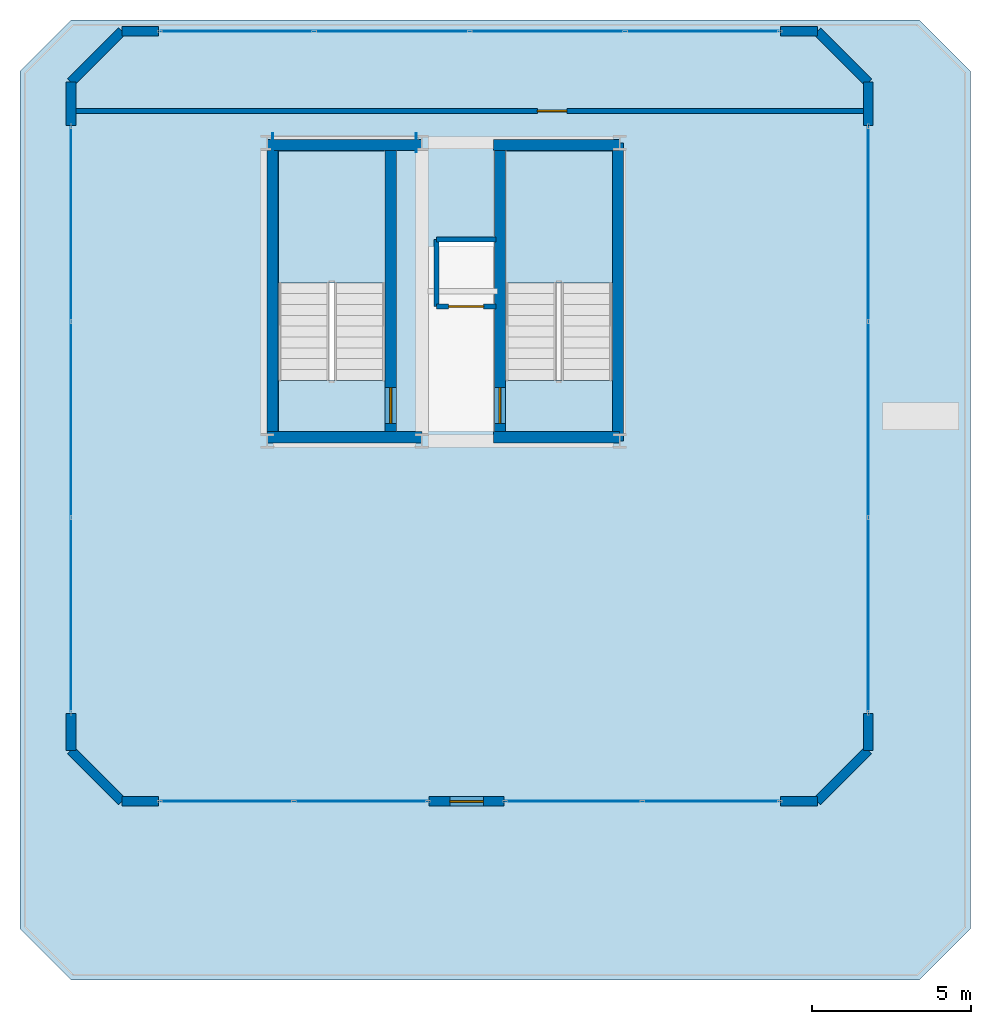
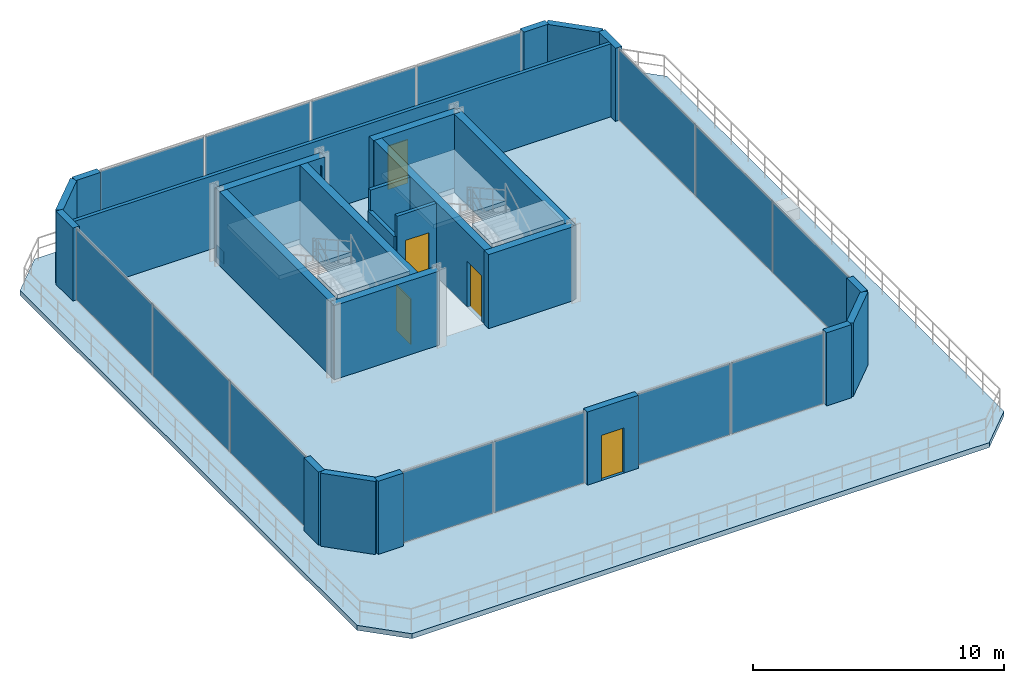
# One storey, part 13 of 16: 25 walls, 16 plates, 5 doors, 5 slabs, 5 openings, 7 elements without a shape of their own.
"""IFC4 building model written with IfcOpenShell, lengths in metres."""

from ifc_helpers import new_model, si_unit, direction, frame, frame_2d, origin, origin_2d, place, context, subcontext, project, spatial, polyline, rectangle, outline, extrude, material, layer, layer_set, type_object, element, fill, aggregate, save


model = new_model("IFC4")

# Units and contexts
model_context = context("Model", 3, precision=1e-05, world=origin(), true_north=direction((0.0, 1.0)))
body_context = subcontext(model_context, "Body", "Model", "MODEL_VIEW")
ifc_project = project(units=[si_unit("LENGTHUNIT", "METRE"), si_unit("AREAUNIT", "SQUARE_METRE"), si_unit("VOLUMEUNIT", "CUBIC_METRE"), si_unit("PLANEANGLEUNIT", "RADIAN"), si_unit("MASSUNIT", "GRAM", prefix="KILO")], contexts=[model_context])

# Site, building, storey
site_placement = place(None, origin())
site = spatial("IfcSite", under=ifc_project, at=site_placement, CompositionType="ELEMENT")
building_placement = place(site_placement, origin())
building = spatial("IfcBuilding", under=site, at=building_placement, Name="Zuhayl Quay Hotel", CompositionType="ELEMENT")
storey_placement = place(building_placement, frame((0.0, 0.0, 308.64990234375)))
storey = spatial("IfcBuildingStorey", under=building, at=storey_placement, Name="Crown 4", CompositionType="ELEMENT", Elevation=308.64990234375)

# Curtain wall, plates
ifc_material_1 = material(Name="Anodised Aluminium 6063-T6", Category="aluminium")
ifc_layer_1 = layer(ifc_material_1, 0.159912109375, Name="Anodised Aluminium 6063-T6", Category="aluminium")
ifc_layer_set_1 = layer_set([ifc_layer_1], Name="Anodised Aluminium 6063-T6")
curtain_wall_type = type_object("IfcCurtainWallType", Name="CW_SYS_CRN", PredefinedType="USERDEFINED", material=ifc_layer_set_1)
curtain_wall_1_placement = place(storey_placement, origin())
curtain_wall_1 = element("IfcCurtainWall", 1, at=curtain_wall_1_placement, inside=storey, type_object=curtain_wall_type, Name="Crown 4 Curtain Wall ENV_CR4_E1_CW1", ObjectType="UNITISED CURTAIN WALL", PredefinedType="USERDEFINED")
ifc_material_2 = material(Name="Spandrel Fritted Solar Glass", Category="glass")
ifc_layer_2 = layer(ifc_material_2, 0.028076171875, Name="Spandrel Fritted Solar Glass", Category="glass")
ifc_layer_set_2 = layer_set([ifc_layer_2], Name="Spandrel Fritted Solar Glass")
plate_type_1 = type_object("IfcPlateType", Name="PN_CROWN_SCREEN", PredefinedType="CURTAIN_PANEL", material=ifc_layer_set_2)
plate_1_placement = place(storey_placement, frame((-15.60009765625, 19.639892578125, 0.05517578125), z_axis=(0.0, 0.0, 1.0), x_axis=(0.0, 1.0, 0.0)))
plate_1 = element("IfcPlate", 2, at=plate_1_placement, type_object=plate_type_1, Name="CW-CRN panel 1.1", PredefinedType="CURTAIN_PANEL", context=body_context, shape_type="SweptSolid", body=[
    extrude(rectangle(XDim=6.06005859375, YDim=0.028076171875, at=origin_2d()), origin(), (0.0, 0.0, 1.0), 3.449951171875),
])
plate_2_placement = place(storey_placement, frame((-15.60009765625, 25.77490234375, 0.05517578125), z_axis=(0.0, 0.0, 1.0), x_axis=(0.0, 1.0, 0.0)))
plate_2 = element("IfcPlate", 3, at=plate_2_placement, type_object=plate_type_1, Name="CW-CRN panel 2.1", PredefinedType="CURTAIN_PANEL", context=body_context, shape_type="SweptSolid", body=[
    extrude(rectangle(XDim=6.090087890625, YDim=0.028076171875, at=origin_2d()), origin(), (0.0, 0.0, 1.0), 3.449951171875),
])
plate_3_placement = place(storey_placement, frame((-15.60009765625, 31.909912109375, 0.05517578125), z_axis=(0.0, 0.0, 1.0), x_axis=(0.0, 1.0, 0.0)))
plate_3 = element("IfcPlate", 4, at=plate_3_placement, type_object=plate_type_1, Name="CW-CRN panel 3.1", PredefinedType="CURTAIN_PANEL", context=body_context, shape_type="SweptSolid", body=[
    extrude(rectangle(XDim=6.06005859375, YDim=0.028076171875, at=origin_2d()), origin(), (0.0, 0.0, 1.0), 3.449951171875),
])
aggregate(curtain_wall_1, [plate_1, plate_2, plate_3])

curtain_wall_2_placement = place(storey_placement, origin())
curtain_wall_2 = element("IfcCurtainWall", 5, at=curtain_wall_2_placement, inside=storey, type_object=curtain_wall_type, Name="Crown 4 Curtain Wall ENV_CR4_E3_CW1", ObjectType="UNITISED CURTAIN WALL", PredefinedType="USERDEFINED")
plate_4_placement = place(storey_placement, frame((-10.3974609375, 37.949951171875, 0.05517578125), z_axis=(0.0, 0.0, 1.0), x_axis=(1.0, 0.0, 0.0)))
plate_4 = element("IfcPlate", 6, at=plate_4_placement, type_object=plate_type_1, Name="CW-CRN panel 1.1", PredefinedType="CURTAIN_PANEL", context=body_context, shape_type="SweptSolid", body=[
    extrude(rectangle(XDim=4.784912109375, YDim=0.028076171875, at=origin_2d()), origin(), (0.0, 0.0, 1.0), 3.449951171875),
])
plate_5_placement = place(storey_placement, frame((-5.53759765625, 37.949951171875, 0.05517578125), z_axis=(0.0, 0.0, 1.0), x_axis=(1.0, 0.0, 0.0)))
plate_5 = element("IfcPlate", 7, at=plate_5_placement, type_object=plate_type_1, Name="CW-CRN panel 2.1", PredefinedType="CURTAIN_PANEL", context=body_context, shape_type="SweptSolid", body=[
    extrude(rectangle(XDim=4.81494140625, YDim=0.028076171875, at=origin_2d()), origin(), (0.0, 0.0, 1.0), 3.449951171875),
])
plate_6_placement = place(storey_placement, frame((-0.66259765625, 37.949951171875, 0.05517578125), z_axis=(0.0, 0.0, 1.0), x_axis=(1.0, 0.0, 0.0)))
plate_6 = element("IfcPlate", 8, at=plate_6_placement, type_object=plate_type_1, Name="CW-CRN panel 3.1", PredefinedType="CURTAIN_PANEL", context=body_context, shape_type="SweptSolid", body=[
    extrude(rectangle(XDim=4.81494140625, YDim=0.028076171875, at=origin_2d()), origin(), (0.0, 0.0, 1.0), 3.449951171875),
])
plate_7_placement = place(storey_placement, frame((4.197509765625, 37.949951171875, 0.05517578125), z_axis=(0.0, 0.0, 1.0), x_axis=(1.0, 0.0, 0.0)))
plate_7 = element("IfcPlate", 9, at=plate_7_placement, type_object=plate_type_1, Name="CW-CRN panel 4.1", PredefinedType="CURTAIN_PANEL", context=body_context, shape_type="SweptSolid", body=[
    extrude(rectangle(XDim=4.784912109375, YDim=0.028076171875, at=origin_2d()), origin(), (0.0, 0.0, 1.0), 3.449951171875),
])
aggregate(curtain_wall_2, [plate_4, plate_5, plate_6, plate_7])

curtain_wall_3_placement = place(storey_placement, origin())
curtain_wall_3 = element("IfcCurtainWall", 10, at=curtain_wall_3_placement, inside=storey, type_object=curtain_wall_type, Name="Crown 4 Curtain Wall ENV_CR4_E5_CW1", ObjectType="UNITISED CURTAIN WALL", PredefinedType="USERDEFINED")
plate_8_placement = place(storey_placement, frame((9.39990234375, 31.909912109375, 0.05517578125), z_axis=(0.0, 0.0, 1.0), x_axis=(0.0, -1.0, 0.0)))
plate_8 = element("IfcPlate", 11, at=plate_8_placement, type_object=plate_type_1, Name="CW-CRN panel 1.1", PredefinedType="CURTAIN_PANEL", context=body_context, shape_type="SweptSolid", body=[
    extrude(rectangle(XDim=6.06005859375, YDim=0.028076171875, at=origin_2d()), origin(), (0.0, 0.0, 1.0), 3.449951171875),
])
plate_9_placement = place(storey_placement, frame((9.39990234375, 25.77490234375, 0.05517578125), z_axis=(0.0, 0.0, 1.0), x_axis=(0.0, -1.0, 0.0)))
plate_9 = element("IfcPlate", 12, at=plate_9_placement, type_object=plate_type_1, Name="CW-CRN panel 2.1", PredefinedType="CURTAIN_PANEL", context=body_context, shape_type="SweptSolid", body=[
    extrude(rectangle(XDim=6.090087890625, YDim=0.028076171875, at=origin_2d()), origin(), (0.0, 0.0, 1.0), 3.449951171875),
])
plate_10_placement = place(storey_placement, frame((9.39990234375, 19.639892578125, 0.05517578125), z_axis=(0.0, 0.0, 1.0), x_axis=(0.0, -1.0, 0.0)))
plate_10 = element("IfcPlate", 13, at=plate_10_placement, type_object=plate_type_1, Name="CW-CRN panel 3.1", PredefinedType="CURTAIN_PANEL", context=body_context, shape_type="SweptSolid", body=[
    extrude(rectangle(XDim=6.06005859375, YDim=0.028076171875, at=origin_2d()), origin(), (0.0, 0.0, 1.0), 3.449951171875),
])
aggregate(curtain_wall_3, [plate_8, plate_9, plate_10])

curtain_wall_4_placement = place(storey_placement, origin())
curtain_wall_4 = element("IfcCurtainWall", 14, at=curtain_wall_4_placement, inside=storey, type_object=curtain_wall_type, Name="Crown 4 Curtain Wall ENV_CR4_E7_CW1", ObjectType="UNITISED CURTAIN WALL", PredefinedType="USERDEFINED")
plate_11_placement = place(storey_placement, frame((4.46630859375, 13.800048828125, 0.05517578125), z_axis=(0.0, 0.0, 1.0), x_axis=(-1.0, 0.0, 0.0)))
plate_11 = element("IfcPlate", 15, at=plate_11_placement, type_object=plate_type_1, Name="CW-CRN panel 1.1", PredefinedType="CURTAIN_PANEL", context=body_context, shape_type="SweptSolid", body=[
    extrude(rectangle(XDim=4.24755859375, YDim=0.028076171875, at=origin_2d()), origin(), (0.0, 0.0, 1.0), 3.449951171875),
])
plate_12_placement = place(storey_placement, frame((0.15869140625, 13.800048828125, 0.05517578125), z_axis=(0.0, 0.0, 1.0), x_axis=(-1.0, 0.0, 0.0)))
plate_12 = element("IfcPlate", 16, at=plate_12_placement, type_object=plate_type_1, Name="CW-CRN panel 2.1", PredefinedType="CURTAIN_PANEL", context=body_context, shape_type="SweptSolid", body=[
    extrude(rectangle(XDim=4.24755859375, YDim=0.028076171875, at=origin_2d()), origin(), (0.0, 0.0, 1.0), 3.449951171875),
])
aggregate(curtain_wall_4, [plate_11, plate_12])

curtain_wall_5_placement = place(storey_placement, origin())
curtain_wall_5 = element("IfcCurtainWall", 17, at=curtain_wall_5_placement, inside=storey, type_object=curtain_wall_type, Name="Crown 4 Curtain Wall ENV_CR4_E7_CW2", ObjectType="UNITISED CURTAIN WALL", PredefinedType="USERDEFINED")
plate_13_placement = place(storey_placement, frame((-6.5087890625, 13.800048828125, 0.05517578125), z_axis=(0.0, 0.0, 1.0), x_axis=(-1.0, 0.0, 0.0)))
plate_13 = element("IfcPlate", 18, at=plate_13_placement, type_object=plate_type_1, Name="CW-CRN panel 1.1", PredefinedType="CURTAIN_PANEL", context=body_context, shape_type="SweptSolid", body=[
    extrude(rectangle(XDim=4.1474609375, YDim=0.028076171875, at=origin_2d()), origin(), (0.0, 0.0, 1.0), 3.449951171875),
])
plate_14_placement = place(storey_placement, frame((-10.71630859375, 13.800048828125, 0.05517578125), z_axis=(0.0, 0.0, 1.0), x_axis=(-1.0, 0.0, 0.0)))
plate_14 = element("IfcPlate", 19, at=plate_14_placement, type_object=plate_type_1, Name="CW-CRN panel 2.1", PredefinedType="CURTAIN_PANEL", context=body_context, shape_type="SweptSolid", body=[
    extrude(rectangle(XDim=4.1474609375, YDim=0.028076171875, at=origin_2d()), origin(), (0.0, 0.0, 1.0), 3.449951171875),
])
aggregate(curtain_wall_5, [plate_13, plate_14])

# Slab
ifc_material_3 = material(Name="Concrete C45/55", Category="concrete")
ifc_layer_3 = layer(ifc_material_3, 0.239990234375, Name="Concrete C45/55", Category="concrete")
ifc_layer_set_3 = layer_set([ifc_layer_3], Name="Concrete C45/55")
slab_type_1 = type_object("IfcSlabType", Name="SL_CROWN_ROOF_240", PredefinedType="ROOF", material=ifc_layer_set_3)
slab_1_placement = place(storey_placement, frame((0.0, 0.0, -0.239990234375)))
element("IfcSlab", 20, at=slab_1_placement, inside=storey, type_object=slab_type_1, Name="Crown 4 Stepped Crown Terrace and Roof Slab", PredefinedType="ROOF", context=body_context, shape_type="SweptSolid", body=[
    extrude(outline(polyline([(-15.60009765625, 8.199951171875), (11.0, 8.199951171875), (12.60009765625, 9.800048828125), (12.60009765625, 36.699951171875), (11.0, 38.300048828125), (-15.60009765625, 38.300048828125), (-17.199951171875, 36.699951171875), (-17.199951171875, 9.800048828125), (-15.60009765625, 8.199951171875)]), holes=[polyline([(-5.75, 25.39990234375), (-5.75, 34.199951171875), (-9.10009765625, 34.199951171875), (-9.10009765625, 25.39990234375), (-5.75, 25.39990234375)]), polyline([(1.3701171875, 25.39990234375), (1.3701171875, 34.199951171875), (-1.97998046875, 34.199951171875), (-1.97998046875, 25.39990234375), (1.3701171875, 25.39990234375)]), polyline([(-4.080078125, 29.39990234375), (-2.340087890625, 29.39990234375), (-2.340087890625, 31.35009765625), (-4.080078125, 31.35009765625), (-4.080078125, 29.39990234375)])]), origin(), (0.0, 0.0, 1.0), 0.239990234375),
])

# Stair, slabs
stair_type = type_object("IfcStairType", Name="ST_DOGLEG_PODIUM", PredefinedType="HALF_TURN_STAIR", material=ifc_material_3)
stair_1_placement = place(storey_placement, origin())
stair_1 = element("IfcStair", 21, at=stair_1_placement, inside=storey, type_object=stair_type, Name="Crown 4 Smokeproof Exit Stair ST5", PredefinedType="HALF_TURN_STAIR")
ifc_layer_4 = layer(ifc_material_3, 0.199951171875, Name="Concrete C45/55", Category="concrete")
ifc_layer_set_4 = layer_set([ifc_layer_4], Name="Concrete C45/55")
slab_type_2 = type_object("IfcSlabType", Name="SL_STAIR_LANDING_200", PredefinedType="LANDING", material=ifc_layer_set_4)
slab_2_placement = place(storey_placement, frame((0.0, 0.0, 1.7001953125)))
slab_2 = element("IfcSlab", 22, at=slab_2_placement, type_object=slab_type_2, Name="ST5 landing 1", PredefinedType="LANDING", context=body_context, shape_type="SweptSolid", body=[
    extrude(outline(polyline([(-5.75, 30.06005859375), (-5.75, 34.199951171875), (-9.10009765625, 34.199951171875), (-9.10009765625, 30.06005859375), (-5.75, 30.06005859375)])), origin(), (0.0, 0.0, 1.0), 0.199951171875),
])
slab_3_placement = place(storey_placement, frame((0.0, 0.0, 3.60009765625)))
slab_3 = element("IfcSlab", 23, at=slab_3_placement, type_object=slab_type_2, Name="ST5 landing 2", PredefinedType="LANDING", context=body_context, shape_type="SweptSolid", body=[
    extrude(outline(polyline([(-5.75, 25.39990234375), (-5.75, 27.0), (-9.10009765625, 27.0), (-9.10009765625, 25.39990234375), (-5.75, 25.39990234375)])), origin(), (0.0, 0.0, 1.0), 0.199951171875),
])
aggregate(stair_1, [slab_2, slab_3])

stair_2_placement = place(storey_placement, origin())
stair_2 = element("IfcStair", 24, at=stair_2_placement, inside=storey, type_object=stair_type, Name="Crown 4 Smokeproof Exit Stair ST6", PredefinedType="HALF_TURN_STAIR")
slab_4_placement = place(storey_placement, frame((0.0, 0.0, 1.7001953125)))
slab_4 = element("IfcSlab", 25, at=slab_4_placement, type_object=slab_type_2, Name="ST6 landing 1", PredefinedType="LANDING", context=body_context, shape_type="SweptSolid", body=[
    extrude(outline(polyline([(1.3701171875, 30.06005859375), (1.3701171875, 34.199951171875), (-1.97998046875, 34.199951171875), (-1.97998046875, 30.06005859375), (1.3701171875, 30.06005859375)])), origin(), (0.0, 0.0, 1.0), 0.199951171875),
])
slab_5_placement = place(storey_placement, frame((0.0, 0.0, 3.60009765625)))
slab_5 = element("IfcSlab", 26, at=slab_5_placement, type_object=slab_type_2, Name="ST6 landing 2", PredefinedType="LANDING", context=body_context, shape_type="SweptSolid", body=[
    extrude(outline(polyline([(1.3701171875, 25.39990234375), (1.3701171875, 27.0), (-1.97998046875, 27.0), (-1.97998046875, 25.39990234375), (1.3701171875, 25.39990234375)])), origin(), (0.0, 0.0, 1.0), 0.199951171875),
])
aggregate(stair_2, [slab_4, slab_5])

# Plates
ifc_material_4 = material(Name="Steel ASTM A572 Grade 50", Category="steel")
ifc_layer_5 = layer(ifc_material_4, 0.030029296875, Name="Steel ASTM A572 Grade 50", Category="steel")
ifc_layer_set_5 = layer_set([ifc_layer_5], Name="Steel ASTM A572 Grade 50")
plate_type_2 = type_object("IfcPlateType", Name="TP_CAP_PLATE_30", PredefinedType="USERDEFINED", material=ifc_layer_set_5)
for number, where, z_axis, x_axis, name in (
    (27, (-9.2705078125, 34.449951171875, 0.04541015625), (0.0, 0.0, 1.0), (-1.0, 0.0, 0.0), "Truss Node Cap Assembly KN2"),
    (28, (-4.779541015625, 34.449951171875, 2.65771484375), (0.0, 0.0, 1.0), (1.0, 0.0, 0.0), "Truss Node Cap Assembly KN2"),
):
    element("IfcPlate", number, at=place(storey_placement, frame(where, z_axis=z_axis, x_axis=x_axis)), inside=storey, type_object=plate_type_2, Name=name, ObjectType="GUSSET PLATE", PredefinedType="USERDEFINED", context=body_context, shape_type="SweptSolid", body=[
        extrude(rectangle(XDim=0.030029296875, YDim=0.596923828125, at=origin_2d()), origin(), (0.0, 0.0, 1.0), 0.596923828125),
    ])

# Walls
ifc_material_5 = material(Name="Precast concrete C45/55", Category="concrete")
ifc_layer_6 = layer(ifc_material_5, 0.300048828125, Name="Precast concrete C45/55", Category="concrete")
ifc_layer_set_6 = layer_set([ifc_layer_6], Name="Precast concrete C45/55")
wall_type_1 = type_object("IfcWallType", Name="WL_EXT_300", PredefinedType="STANDARD", material=ifc_layer_set_6)
wall_1_placement = place(storey_placement, frame((-15.60009765625, 15.39990234375, 0.0), z_axis=(0.0, 0.0, 1.0), x_axis=(0.0, 1.0, 0.0)))
element("IfcWall", 29, at=wall_1_placement, inside=storey, type_object=wall_type_1, Name="Crown 4 Exterior Precast Wall ENV_CR4_E1_EW1", PredefinedType="STANDARD", context=body_context, shape_type="SweptSolid", body=[
    extrude(rectangle(XDim=1.150146484375, YDim=0.300048828125, at=frame_2d((0.5751953125, 0.0))), origin(), (0.0, 0.0, 1.0), 3.56005859375),
])
wall_2_placement = place(storey_placement, frame((-15.60009765625, 35.0, 0.0), z_axis=(0.0, 0.0, 1.0), x_axis=(0.0, 1.0, 0.0)))
element("IfcWall", 30, at=wall_2_placement, inside=storey, type_object=wall_type_1, Name="Crown 4 Exterior Precast Wall ENV_CR4_E1_EW2", PredefinedType="STANDARD", context=body_context, shape_type="SweptSolid", body=[
    extrude(rectangle(XDim=1.35009765625, YDim=0.300048828125, at=frame_2d((0.675048828125, 0.0))), origin(), (0.0, 0.0, 1.0), 3.56005859375),
])
wall_3_placement = place(storey_placement, frame((-15.60009765625, 36.35009765625, 0.0), z_axis=(0.0, 0.0, 1.0), x_axis=(0.707160727918, 0.707052830339, 0.0)))
element("IfcWall", 31, at=wall_3_placement, inside=storey, type_object=wall_type_1, Name="Crown 4 Exterior Precast Wall ENV_CR4_EW2", PredefinedType="STANDARD", context=body_context, shape_type="SweptSolid", body=[
    extrude(rectangle(XDim=2.2626953125, YDim=0.300048828125, at=frame_2d((1.13134765625, 0.0))), origin(), (0.0, 0.0, 1.0), 3.56005859375),
])
wall_4_placement = place(storey_placement, frame((-14.0, 37.949951171875, 0.0), z_axis=(0.0, 0.0, 1.0), x_axis=(1.0, 0.0, 0.0)))
element("IfcWall", 32, at=wall_4_placement, inside=storey, type_object=wall_type_1, Name="Crown 4 Exterior Precast Wall ENV_CR4_E3_EW1", PredefinedType="STANDARD", context=body_context, shape_type="SweptSolid", body=[
    extrude(rectangle(XDim=1.14990234375, YDim=0.300048828125, at=frame_2d((0.574951171875, 0.0))), origin(), (0.0, 0.0, 1.0), 3.56005859375),
])
wall_5_placement = place(storey_placement, frame((6.64990234375, 37.949951171875, 0.0), z_axis=(0.0, 0.0, 1.0), x_axis=(1.0, 0.0, 0.0)))
element("IfcWall", 33, at=wall_5_placement, inside=storey, type_object=wall_type_1, Name="Crown 4 Exterior Precast Wall ENV_CR4_E3_EW2", PredefinedType="STANDARD", context=body_context, shape_type="SweptSolid", body=[
    extrude(rectangle(XDim=1.150146484375, YDim=0.300048828125, at=frame_2d((0.5751953125, 0.0))), origin(), (0.0, 0.0, 1.0), 3.56005859375),
])
wall_6_placement = place(storey_placement, frame((7.800048828125, 37.949951171875, 0.0), z_axis=(0.0, 0.0, 1.0), x_axis=(0.707106781187, -0.707106781187, 0.0)))
element("IfcWall", 34, at=wall_6_placement, inside=storey, type_object=wall_type_1, Name="Crown 4 Exterior Precast Wall ENV_CR4_EW4", PredefinedType="STANDARD", context=body_context, shape_type="SweptSolid", body=[
    extrude(rectangle(XDim=2.262451171875, YDim=0.300048828125, at=frame_2d((1.13134765625, 0.0))), origin(), (0.0, 0.0, 1.0), 3.56005859375),
])
wall_7_placement = place(storey_placement, frame((9.39990234375, 36.35009765625, 0.0), z_axis=(0.0, 0.0, 1.0), x_axis=(0.0, -1.0, 0.0)))
element("IfcWall", 35, at=wall_7_placement, inside=storey, type_object=wall_type_1, Name="Crown 4 Exterior Precast Wall ENV_CR4_E5_EW1", PredefinedType="STANDARD", context=body_context, shape_type="SweptSolid", body=[
    extrude(rectangle(XDim=1.35009765625, YDim=0.300048828125, at=frame_2d((0.675048828125, 0.0))), origin(), (0.0, 0.0, 1.0), 3.56005859375),
])
wall_8_placement = place(storey_placement, frame((9.39990234375, 16.550048828125, 0.0), z_axis=(0.0, 0.0, 1.0), x_axis=(0.0, -1.0, 0.0)))
element("IfcWall", 36, at=wall_8_placement, inside=storey, type_object=wall_type_1, Name="Crown 4 Exterior Precast Wall ENV_CR4_E5_EW2", PredefinedType="STANDARD", context=body_context, shape_type="SweptSolid", body=[
    extrude(rectangle(XDim=1.150146484375, YDim=0.300048828125, at=frame_2d((0.5751953125, 0.0))), origin(), (0.0, 0.0, 1.0), 3.56005859375),
])
wall_9_placement = place(storey_placement, frame((9.39990234375, 15.39990234375, 0.0), z_axis=(0.0, 0.0, 1.0), x_axis=(-0.707106781187, -0.707106781187, 0.0)))
element("IfcWall", 37, at=wall_9_placement, inside=storey, type_object=wall_type_1, Name="Crown 4 Exterior Precast Wall ENV_CR4_EW6", PredefinedType="STANDARD", context=body_context, shape_type="SweptSolid", body=[
    extrude(rectangle(XDim=2.262451171875, YDim=0.300048828125, at=frame_2d((1.13134765625, 0.0))), origin(), (0.0, 0.0, 1.0), 3.56005859375),
])
wall_10_placement = place(storey_placement, frame((7.800048828125, 13.800048828125, 0.0), z_axis=(0.0, 0.0, 1.0), x_axis=(-1.0, 0.0, 0.0)))
element("IfcWall", 38, at=wall_10_placement, inside=storey, type_object=wall_type_1, Name="Crown 4 Exterior Precast Wall ENV_CR4_E7_EW1", PredefinedType="STANDARD", context=body_context, shape_type="SweptSolid", body=[
    extrude(rectangle(XDim=1.150146484375, YDim=0.300048828125, at=frame_2d((0.5751953125, 0.0))), origin(), (0.0, 0.0, 1.0), 3.56005859375),
])

# Wall, opening, door
wall_11_placement = place(storey_placement, frame((-2.02490234375, 13.800048828125, 0.0), z_axis=(0.0, 0.0, 1.0), x_axis=(-1.0, 0.0, 0.0)))
wall_11 = element("IfcWall", 39, at=wall_11_placement, inside=storey, type_object=wall_type_1, Name="Crown 4 Exterior Precast Wall ENV_CR4_E7_EW2", PredefinedType="STANDARD", context=body_context, shape_type="SweptSolid", body=[
    extrude(rectangle(XDim=2.35009765625, YDim=0.300048828125, at=frame_2d((1.175048828125, 0.0))), origin(), (0.0, 0.0, 1.0), 3.56005859375),
])
opening_1_placement = place(wall_11_placement, frame((0.64990234375, 0.0, 0.0)))
opening_1 = element("IfcOpeningElement", 40, at=opening_1_placement, cuts=wall_11, Name="Opening DG1", PredefinedType="OPENING", context=body_context, shape_type="SweptSolid", body=[
    extrude(rectangle(XDim=1.050048828125, YDim=2.199951171875, at=frame_2d((0.52490234375, 1.10009765625))), frame((0.0, 0.159912109375, 0.0), z_axis=(0.0, -1.0, 0.0), x_axis=(1.0, 0.0, 0.0)), (0.0, 0.0, 1.0), 0.320068359375),
])
ifc_material_6 = material(Name="Anodised Aluminium and Dark Solar Glass", Category="aluminium")
door_type_1 = type_object("IfcDoorType", Name="DR_EXT_TERR_1050", OperationType="NOTDEFINED", PredefinedType="DOOR", material=ifc_material_6)
door_1_placement = place(opening_1_placement, origin())
door_1 = element("IfcDoor", 41, at=door_1_placement, inside=storey, type_object=door_type_1, Name="Crown 4 Stepped Crown Terrace Access Door", OperationType="SINGLE_SWING_RIGHT", OverallHeight=2.199951171875, OverallWidth=1.050048828125, PredefinedType="DOOR", context=body_context, shape_type="SweptSolid", body=[
    extrude(rectangle(XDim=1.050048828125, YDim=2.199951171875, at=frame_2d((0.52490234375, 1.10009765625))), frame((0.0, 0.02490234375, 0.0), z_axis=(0.0, -1.0, 0.0), x_axis=(1.0, 0.0, 0.0)), (0.0, 0.0, 1.0), 0.050048828125),
])
fill(opening_1, door_1)

# Walls
wall_12_placement = place(storey_placement, frame((-12.85009765625, 13.800048828125, 0.0), z_axis=(0.0, 0.0, 1.0), x_axis=(-1.0, 0.0, 0.0)))
element("IfcWall", 42, at=wall_12_placement, inside=storey, type_object=wall_type_1, Name="Crown 4 Exterior Precast Wall ENV_CR4_E7_EW3", PredefinedType="STANDARD", context=body_context, shape_type="SweptSolid", body=[
    extrude(rectangle(XDim=1.14990234375, YDim=0.300048828125, at=frame_2d((0.574951171875, 0.0))), origin(), (0.0, 0.0, 1.0), 3.56005859375),
])
wall_13_placement = place(storey_placement, frame((-14.0, 13.800048828125, 0.0), z_axis=(0.0, 0.0, 1.0), x_axis=(-0.707160727918, 0.707052830339, 0.0)))
element("IfcWall", 43, at=wall_13_placement, inside=storey, type_object=wall_type_1, Name="Crown 4 Exterior Precast Wall ENV_CR4_EW8", PredefinedType="STANDARD", context=body_context, shape_type="SweptSolid", body=[
    extrude(rectangle(XDim=2.2626953125, YDim=0.300048828125, at=frame_2d((1.13134765625, 0.0))), origin(), (0.0, 0.0, 1.0), 3.56005859375),
])

# Wall, opening, door
ifc_material_7 = material(Name="Acoustic Gypsum Partition STC-58")
ifc_layer_7 = layer(ifc_material_7, 0.159912109375, Name="Acoustic Gypsum Partition STC-58")
ifc_layer_set_7 = layer_set([ifc_layer_7], Name="Acoustic Gypsum Partition STC-58")
wall_type_2 = type_object("IfcWallType", Name="WL_PART_CORR_160", PredefinedType="PARTITIONING", material=ifc_layer_set_7)
wall_14_placement = place(storey_placement, frame((-15.5400390625, 35.449951171875, 0.0), z_axis=(0.0, 0.0, 1.0), x_axis=(1.0, 0.0, 0.0)))
wall_14 = element("IfcWall", 44, at=wall_14_placement, inside=storey, type_object=wall_type_2, Name="Crown 4 Partition IW_CR4_DIV", PredefinedType="PARTITIONING", context=body_context, shape_type="SweptSolid", body=[
    extrude(rectangle(XDim=24.880126953125, YDim=0.159912109375, at=frame_2d((12.43994140625, 0.0))), origin(), (0.0, 0.0, 1.0), 3.56005859375),
])
opening_2_placement = place(wall_14_placement, frame((14.56494140625, 0.0, 0.0)))
opening_2 = element("IfcOpeningElement", 45, at=opening_2_placement, cuts=wall_14, Name="Opening D05", PredefinedType="OPENING", context=body_context, shape_type="SweptSolid", body=[
    extrude(rectangle(XDim=0.919921875, YDim=2.1201171875, at=frame_2d((0.4599609375, 1.06005859375))), frame((0.0, 0.08984375, 0.0), z_axis=(0.0, -1.0, 0.0), x_axis=(1.0, 0.0, 0.0)), (0.0, 0.0, 1.0), 0.179931640625),
])
ifc_material_8 = material(Name="Solid Walnut Acoustic Fire Door")
door_type_2 = type_object("IfcDoorType", Name="DR_INT_950", OperationType="NOTDEFINED", PredefinedType="DOOR", material=ifc_material_8)
door_2_placement = place(opening_2_placement, origin())
door_2 = element("IfcDoor", 46, at=door_2_placement, inside=storey, type_object=door_type_2, Name="Crown 4 Equipment Room Door", OperationType="SINGLE_SWING_RIGHT", OverallHeight=2.1201171875, OverallWidth=0.919921875, PredefinedType="DOOR", context=body_context, shape_type="SweptSolid", body=[
    extrude(rectangle(XDim=0.919921875, YDim=2.1201171875, at=frame_2d((0.4599609375, 1.06005859375))), frame((0.0, 0.02490234375, 0.0), z_axis=(0.0, -1.0, 0.0), x_axis=(1.0, 0.0, 0.0)), (0.0, 0.0, 1.0), 0.050048828125),
])
fill(opening_2, door_2)

ifc_material_9 = material(Name="Gypsum Fireboard Assembly EI-90")
ifc_layer_8 = layer(ifc_material_9, 0.1650390625, Name="Gypsum Fireboard Assembly EI-90")
ifc_layer_set_8 = layer_set([ifc_layer_8], Name="Gypsum Fireboard Assembly EI-90")
wall_type_3 = type_object("IfcWallType", Name="WL_PART_SHAFT_160", PredefinedType="PARTITIONING", material=ifc_layer_set_8)
wall_15_placement = place(storey_placement, frame((-4.139892578125, 29.320068359375, 0.0), z_axis=(0.0, 0.0, 1.0), x_axis=(1.0, 0.0, 0.0)))
wall_15 = element("IfcWall", 47, at=wall_15_placement, inside=storey, type_object=wall_type_3, Name="Crown 4 Partition IW_CR4_SH_CLF1_F", PredefinedType="PARTITIONING", context=body_context, shape_type="SweptSolid", body=[
    extrude(rectangle(XDim=1.85986328125, YDim=0.1650390625, at=frame_2d((0.929931640625, 0.0))), origin(), (0.0, 0.0, 1.0), 3.56005859375),
])
opening_3_placement = place(wall_15_placement, frame((0.3798828125, 0.0, 0.0)))
opening_3 = element("IfcOpeningElement", 48, at=opening_3_placement, cuts=wall_15, Name="Opening LD1", PredefinedType="OPENING", context=body_context, shape_type="SweptSolid", body=[
    extrude(rectangle(XDim=1.10009765625, YDim=2.25, at=frame_2d((0.550048828125, 1.125))), frame((0.0, 0.092529296875, 0.0), z_axis=(0.0, -1.0, 0.0), x_axis=(1.0, 0.0, 0.0)), (0.0, 0.0, 1.0), 0.18505859375),
])
ifc_material_10 = material(Name="Brushed Stainless Steel", Category="steel")
door_type_3 = type_object("IfcDoorType", Name="DR_LIFT_PASS_1100", OperationType="SLIDING_TO_LEFT", PredefinedType="DOOR", material=ifc_material_10)
door_3_placement = place(opening_3_placement, origin())
door_3 = element("IfcDoor", 49, at=door_3_placement, inside=storey, type_object=door_type_3, Name="Crown 4 Lift CLF1 Sliding Landing Door", OperationType="SLIDING_TO_LEFT", OverallHeight=2.25, OverallWidth=1.10009765625, PredefinedType="DOOR", context=body_context, shape_type="SweptSolid", body=[
    extrude(rectangle(XDim=1.10009765625, YDim=2.25, at=frame_2d((0.550048828125, 1.125))), frame((0.0, 0.02490234375, 0.0), z_axis=(0.0, -1.0, 0.0), x_axis=(1.0, 0.0, 0.0)), (0.0, 0.0, 1.0), 0.050048828125),
])
fill(opening_3, door_3)

# Walls
wall_16_placement = place(storey_placement, frame((-4.139892578125, 29.320068359375, 0.0), z_axis=(0.0, 0.0, 1.0), x_axis=(0.0, 1.0, 0.0)))
element("IfcWall", 50, at=wall_16_placement, inside=storey, type_object=wall_type_3, Name="Crown 4 Partition IW_CR4_SH_CLF1_W", PredefinedType="PARTITIONING", context=body_context, shape_type="SweptSolid", body=[
    extrude(rectangle(XDim=2.099853515625, YDim=0.1650390625, at=frame_2d((1.0498046875, 0.0))), origin(), (0.0, 0.0, 1.0), 2.549072265625),
])
wall_17_placement = place(storey_placement, frame((-4.139892578125, 31.419921875, 0.0), z_axis=(0.0, 0.0, 1.0), x_axis=(1.0, 0.0, 0.0)))
element("IfcWall", 51, at=wall_17_placement, inside=storey, type_object=wall_type_3, Name="Crown 4 Partition IW_CR4_SH_CLF1_N", PredefinedType="PARTITIONING", context=body_context, shape_type="SweptSolid", body=[
    extrude(rectangle(XDim=1.85986328125, YDim=0.1650390625, at=frame_2d((0.929931640625, 0.0))), origin(), (0.0, 0.0, 1.0), 3.56005859375),
])

# Wall, opening, door
ifc_material_11 = material(Name="Concrete C50/60", Category="concrete")
ifc_layer_9 = layer(ifc_material_11, 0.35009765625, Name="Concrete C50/60", Category="concrete")
ifc_layer_set_9 = layer_set([ifc_layer_9], Name="Concrete C50/60")
wall_type_4 = type_object("IfcWallType", Name="WL_STAIR_350", PredefinedType="SHEAR", material=ifc_layer_set_9)
wall_18_placement = place(storey_placement, frame((-5.574951171875, 25.10009765625, -0.18994140625), z_axis=(0.0, 0.0, 1.0), x_axis=(0.0, 1.0, 0.0)))
wall_18 = element("IfcWall", 52, at=wall_18_placement, inside=storey, type_object=wall_type_4, Name="Crown 4 Crown Stair Shear Wall SW_ST5_E", PredefinedType="SHEAR", context=body_context, shape_type="SweptSolid", body=[
    extrude(rectangle(XDim=9.349853515625, YDim=0.35009765625, at=frame_2d((4.6748046875, 0.0))), origin(), (0.0, 0.0, 1.0), 3.800048828125),
])
opening_4_placement = place(wall_18_placement, frame((0.550048828125, 0.0, 0.18994140625)))
opening_4 = element("IfcOpeningElement", 53, at=opening_4_placement, cuts=wall_18, Name="Opening D01", PredefinedType="OPENING", context=body_context, shape_type="SweptSolid", body=[
    extrude(rectangle(XDim=1.1201171875, YDim=2.219970703125, at=frame_2d((0.56005859375, 1.10986328125))), frame((0.0, 0.18505859375, 0.0), z_axis=(0.0, -1.0, 0.0), x_axis=(1.0, 0.0, 0.0)), (0.0, 0.0, 1.0), 0.3701171875),
])
ifc_material_12 = material(Name="Steel ASTM A992 Grade 50", Category="steel")
door_type_4 = type_object("IfcDoorType", Name="DR_STAIR_90_1100", OperationType="NOTDEFINED", PredefinedType="DOOR", material=ifc_material_12)
door_4_placement = place(opening_4_placement, origin())
door_4 = element("IfcDoor", 54, at=door_4_placement, inside=storey, type_object=door_type_4, Name="Crown 4 Crown Exit Stair ST5 Door", OperationType="SINGLE_SWING_RIGHT", OverallHeight=2.219970703125, OverallWidth=1.1201171875, PredefinedType="DOOR", context=body_context, shape_type="SweptSolid", body=[
    extrude(rectangle(XDim=1.1201171875, YDim=2.219970703125, at=frame_2d((0.56005859375, 1.10986328125))), frame((0.0, 0.02490234375, 0.0), z_axis=(0.0, -1.0, 0.0), x_axis=(1.0, 0.0, 0.0)), (0.0, 0.0, 1.0), 0.050048828125),
])
fill(opening_4, door_4)

# Walls
wall_19_placement = place(storey_placement, frame((-9.280029296875, 34.449951171875, -0.18994140625), z_axis=(0.0, 0.0, 1.0), x_axis=(0.0, -1.0, 0.0)))
element("IfcWall", 55, at=wall_19_placement, inside=storey, type_object=wall_type_4, Name="Crown 4 Crown Stair Shear Wall SW_ST5_W", PredefinedType="SHEAR", context=body_context, shape_type="SweptSolid", body=[
    extrude(rectangle(XDim=9.349853515625, YDim=0.35009765625, at=frame_2d((4.6748046875, 0.0))), origin(), (0.0, 0.0, 1.0), 3.800048828125),
])
for number, where, z_axis, x_axis, name in (
    (56, (-9.449951171875, 25.219970703125, -0.18994140625), (0.0, 0.0, 1.0), (1.0, 0.0, 0.0), "Crown 4 Crown Stair Shear Wall SW_ST5_S"),
    (57, (-9.449951171875, 34.3798828125, -0.18994140625), (0.0, 0.0, 1.0), (1.0, 0.0, 0.0), "Crown 4 Crown Stair Shear Wall SW_ST5_N"),
):
    element("IfcWall", number, at=place(storey_placement, frame(where, z_axis=z_axis, x_axis=x_axis)), inside=storey, type_object=wall_type_4, Name=name, PredefinedType="SHEAR", context=body_context, shape_type="SweptSolid", body=[
        extrude(rectangle(XDim=4.849853515625, YDim=0.35009765625, at=frame_2d((2.4248046875, 0.0))), origin(), (0.0, 0.0, 1.0), 3.800048828125),
    ])

# Wall, opening, door
wall_20_placement = place(storey_placement, frame((-2.155029296875, 34.449951171875, -0.18994140625), z_axis=(0.0, 0.0, 1.0), x_axis=(0.0, -1.0, 0.0)))
wall_20 = element("IfcWall", 58, at=wall_20_placement, inside=storey, type_object=wall_type_4, Name="Crown 4 Crown Stair Shear Wall SW_ST6_W", PredefinedType="SHEAR", context=body_context, shape_type="SweptSolid", body=[
    extrude(rectangle(XDim=9.349853515625, YDim=0.35009765625, at=frame_2d((4.6748046875, 0.0))), origin(), (0.0, 0.0, 1.0), 3.800048828125),
])
opening_5_placement = place(wall_20_placement, frame((7.679931640625, 0.0, 0.18994140625)))
opening_5 = element("IfcOpeningElement", 59, at=opening_5_placement, cuts=wall_20, Name="Opening D01", PredefinedType="OPENING", context=body_context, shape_type="SweptSolid", body=[
    extrude(rectangle(XDim=1.1201171875, YDim=2.219970703125, at=frame_2d((0.56005859375, 1.10986328125))), frame((0.0, 0.18505859375, 0.0), z_axis=(0.0, -1.0, 0.0), x_axis=(1.0, 0.0, 0.0)), (0.0, 0.0, 1.0), 0.3701171875),
])
door_5_placement = place(opening_5_placement, origin())
door_5 = element("IfcDoor", 60, at=door_5_placement, inside=storey, type_object=door_type_4, Name="Crown 4 Crown Exit Stair ST6 Door", OperationType="SINGLE_SWING_LEFT", OverallHeight=2.219970703125, OverallWidth=1.1201171875, PredefinedType="DOOR", context=body_context, shape_type="SweptSolid", body=[
    extrude(rectangle(XDim=1.1201171875, YDim=2.219970703125, at=frame_2d((0.56005859375, 1.10986328125))), frame((0.0, 0.02490234375, 0.0), z_axis=(0.0, -1.0, 0.0), x_axis=(1.0, 0.0, 0.0)), (0.0, 0.0, 1.0), 0.050048828125),
])
fill(opening_5, door_5)

# Walls
wall_21_placement = place(storey_placement, frame((1.544921875, 25.10009765625, -0.18994140625), z_axis=(0.0, 0.0, 1.0), x_axis=(0.0, 1.0, 0.0)))
element("IfcWall", 61, at=wall_21_placement, inside=storey, type_object=wall_type_4, Name="Crown 4 Crown Stair Shear Wall SW_ST6_E", PredefinedType="SHEAR", context=body_context, shape_type="SweptSolid", body=[
    extrude(rectangle(XDim=9.349853515625, YDim=0.35009765625, at=frame_2d((4.6748046875, 0.0))), origin(), (0.0, 0.0, 1.0), 3.800048828125),
])
for number, where, z_axis, x_axis, name in (
    (62, (-2.35009765625, 25.219970703125, -0.18994140625), (0.0, 0.0, 1.0), (1.0, 0.0, 0.0), "Crown 4 Crown Stair Shear Wall SW_ST6_S"),
    (63, (-2.35009765625, 34.3798828125, -0.18994140625), (0.0, 0.0, 1.0), (1.0, 0.0, 0.0), "Crown 4 Crown Stair Shear Wall SW_ST6_N"),
):
    element("IfcWall", number, at=place(storey_placement, frame(where, z_axis=z_axis, x_axis=x_axis)), inside=storey, type_object=wall_type_4, Name=name, PredefinedType="SHEAR", context=body_context, shape_type="SweptSolid", body=[
        extrude(rectangle(XDim=3.9501953125, YDim=0.35009765625, at=frame_2d((1.97509765625, 0.0))), origin(), (0.0, 0.0, 1.0), 3.800048828125),
    ])

save(model, "model.ifc")
